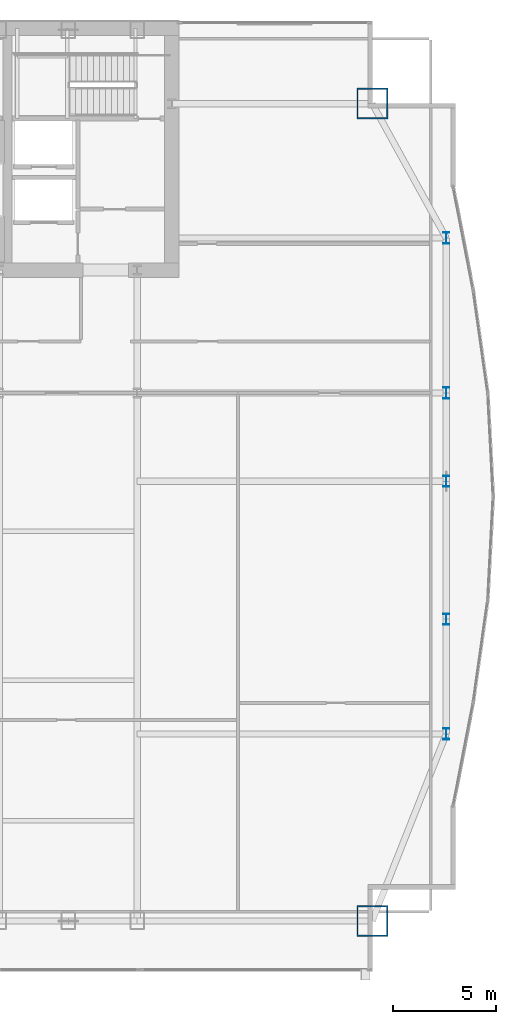
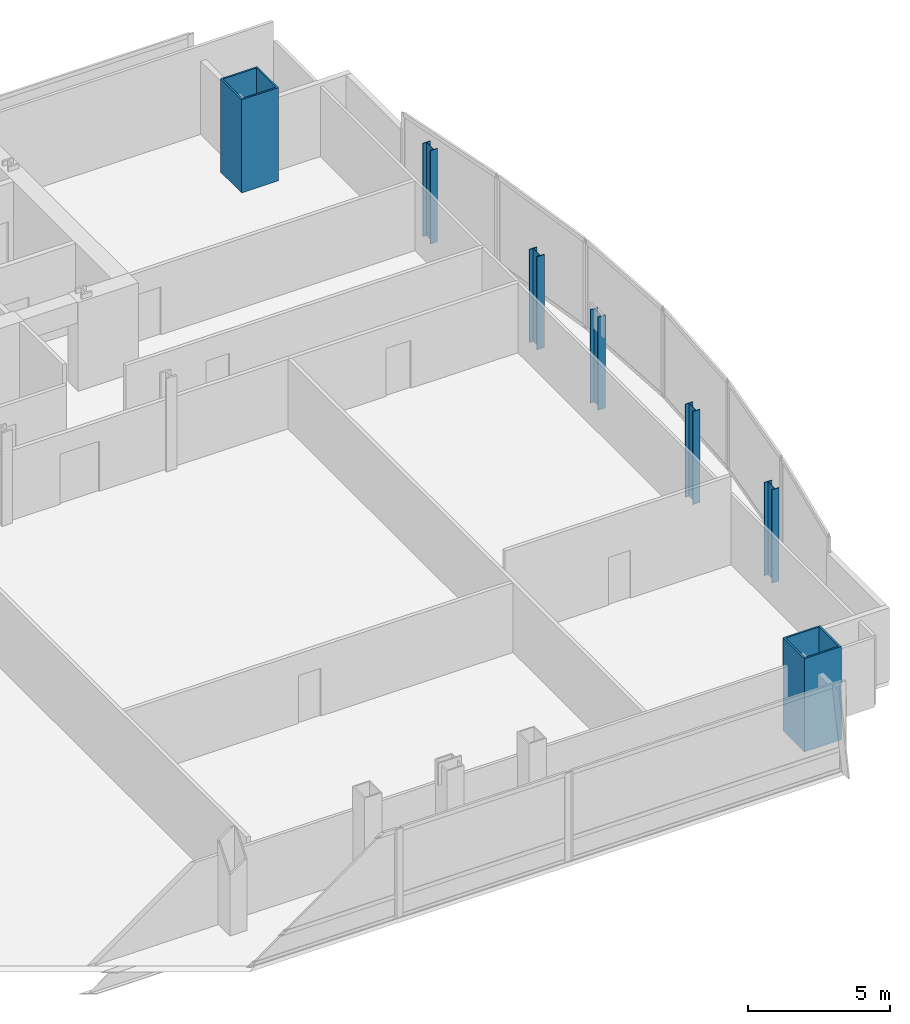
# One storey, part 4 of 34: 7 columns.
"""IFC4 building model written with IfcOpenShell, lengths in metres."""

import ifcopenshell
import ifcopenshell.guid

model = None  # the IFC model being written
_history = None  # IfcOwnerHistory: only IFC2X3 demands one
_inside = {}  # id of a spatial element -> (the spatial element, [elements in it])
_under = {}  # id of a project, library or spatial element -> (it, [spatial elements below it])
_declared = {}  # id of a project -> (the project, [libraries it declares])
_typed = {}  # id of a type object -> (the type object, [elements of that type])
_made_of = {}  # id of a material, layer set ... -> (it, [elements and type objects made of it])


def new_model(schema):
    """Start an empty IFC model of exactly this schema.

    Asked for "IFC4X3", IfcOpenShell would pick the latest addendum, in which some entities
    have other attributes; the version numbers below select the first issue.
    IFC2X3 requires an IfcOwnerHistory on every rooted entity: one is made here for all.
    """
    global model, _history
    if schema == "IFC4X3":
        model = ifcopenshell.file(schema_version=(4, 3, 0, 0))
    else:
        model = ifcopenshell.file(schema=schema)
    _inside.clear()
    _under.clear()
    _declared.clear()
    _typed.clear()
    _made_of.clear()
    _history = None
    if model.schema == "IFC2X3":
        org = make("IfcOrganization", Name="unknown")
        user = make(
            "IfcPersonAndOrganization",
            ThePerson=make("IfcPerson", FamilyName="unknown"),
            TheOrganization=org,
        )
        app = make(
            "IfcApplication",
            ApplicationDeveloper=org,
            Version="unknown",
            ApplicationFullName="unknown",
            ApplicationIdentifier="unknown",
        )
        _history = make(
            "IfcOwnerHistory",
            OwningUser=user,
            OwningApplication=app,
            ChangeAction="ADDED",
            CreationDate=0,
        )
    return model


def make(cls, **values):
    """One entity of the class cls with the attributes given. An attribute that is None is left unset."""
    return model.create_entity(
        cls, **{name: value for name, value in values.items() if value is not None}
    )


def rooted(cls, **values):
    """An entity with a GlobalId (a new one), such as an element, a storey or a relation."""
    return make(cls, GlobalId=ifcopenshell.guid.new(), OwnerHistory=_history, **values)


def si_unit(unit_type, name, prefix=None):
    """IfcSIUnit, for example si_unit("LENGTHUNIT", "METRE", prefix="MILLI")."""
    return make("IfcSIUnit", UnitType=unit_type, Prefix=prefix, Name=name)


def assignment(units):
    """IfcUnitAssignment: the units of a project."""
    return None if units is None else make("IfcUnitAssignment", Units=units)


def point(xyz):
    """IfcCartesianPoint."""
    return None if xyz is None else make("IfcCartesianPoint", Coordinates=xyz)


def direction(xyz):
    """IfcDirection."""
    return None if xyz is None else make("IfcDirection", DirectionRatios=xyz)


def frame(location, z_axis=None, x_axis=None):
    """IfcAxis2Placement3D, a coordinate frame: its origin and axes. An axis left out is left unset."""
    return make(
        "IfcAxis2Placement3D",
        Location=point(location),
        Axis=direction(z_axis),
        RefDirection=direction(x_axis),
    )


def frame_2d(location, x_axis=None):
    """IfcAxis2Placement2D, a coordinate frame in the plane: its origin and x axis."""
    return make(
        "IfcAxis2Placement2D", Location=point(location), RefDirection=direction(x_axis)
    )


def origin():
    """The frame at (0, 0, 0) with its axes left unset."""
    return frame((0.0, 0.0, 0.0))


def origin_2d():
    """The frame at (0, 0) in the plane with its x axis left unset."""
    return frame_2d((0.0, 0.0))


def place(relative_to, where):
    """IfcLocalPlacement: puts the frame where relative to a parent placement (None: the world)."""
    return make(
        "IfcLocalPlacement", PlacementRelTo=relative_to, RelativePlacement=where
    )


def context(
    kind, dimensions, precision=None, world=None, true_north=None, identifier=None
):
    """IfcGeometricRepresentationContext, for example the 3D "Model" context."""
    return make(
        "IfcGeometricRepresentationContext",
        ContextIdentifier=identifier,
        ContextType=kind,
        CoordinateSpaceDimension=dimensions,
        Precision=precision,
        WorldCoordinateSystem=world,
        TrueNorth=true_north,
    )


def subcontext(parent, identifier, kind, view, scale=None):
    """IfcGeometricRepresentationSubContext, for example "Body" below "Model"."""
    return make(
        "IfcGeometricRepresentationSubContext",
        ContextIdentifier=identifier,
        ContextType=kind,
        ParentContext=parent,
        TargetScale=scale,
        TargetView=view,
    )


def project(units=None, contexts=None):
    """IfcProject with its units and contexts."""
    return rooted(
        "IfcProject",
        Name="project",
        RepresentationContexts=contexts,
        UnitsInContext=assignment(units),
    )


def spatial(cls, under=None, at=None, **own):
    """A site, building, storey or space (cls), placed at a placement, below another one or the project."""
    s = rooted(cls, ObjectPlacement=at, **own)
    if under is not None:
        _under.setdefault(under.id(), (under, []))[1].append(s)
    return s


def profile(cls, at=None, kind="AREA", **sizes):
    """A parametric profile (cls). Its sizes go by their IFC names, for example OverallWidth=200.0."""
    return make(cls, ProfileType=kind, Position=at, **sizes)


def hollow_rectangle(**sizes):
    """IfcRectangleHollowProfileDef."""
    return profile("IfcRectangleHollowProfileDef", **sizes)


def i_section(**sizes):
    """IfcIShapeProfileDef."""
    return profile("IfcIShapeProfileDef", **sizes)


def extrude(swept, where, along, depth):
    """IfcExtrudedAreaSolid: the profile swept, set in the frame where, extruded along a direction by depth."""
    return make(
        "IfcExtrudedAreaSolid",
        SweptArea=swept,
        Position=where,
        ExtrudedDirection=direction(along),
        Depth=depth,
    )


def shape(context_of_items, identifier, shape_type, items):
    """IfcShapeRepresentation: the items that make up one representation, for example the "Body"."""
    return make(
        "IfcShapeRepresentation",
        ContextOfItems=context_of_items,
        RepresentationIdentifier=identifier,
        RepresentationType=shape_type,
        Items=items,
    )


def material(Name=None, Category=None):
    """IfcMaterial."""
    return make("IfcMaterial", Name=Name, Category=Category)


def material_profile(
    of_material, cross_section, Name=None, Category=None, Priority=None
):
    """IfcMaterialProfile: a cross section and its material."""
    return make(
        "IfcMaterialProfile",
        Name=Name,
        Material=of_material,
        Profile=cross_section,
        Priority=Priority,
        Category=Category,
    )


def profile_set(profiles, Name=None, composite=None):
    """IfcMaterialProfileSet."""
    return make(
        "IfcMaterialProfileSet",
        Name=Name,
        MaterialProfiles=profiles,
        CompositeProfile=composite,
    )


def made_of(thing, what):
    """Note that an element or type object is made of a material, layer set ...; save() writes the relation."""
    if what is not None:
        _made_of.setdefault(what.id(), (what, []))[1].append(thing)
    return thing


def type_object(cls, material=None, **own):
    """A type object (cls), such as IfcWallType, which elements share."""
    return made_of(rooted(cls, **own), material)


def element(
    cls,
    number,
    at=None,
    inside=None,
    cuts=None,
    type_object=None,
    material=None,
    context=None,
    identifier="Body",
    shape_type=None,
    held_by="IfcProductDefinitionShape",
    body=None,
    shapes=None,
    **own,
):
    """One element of the class cls, such as IfcWall. Its Tag is "e" and its number.

    at: its placement. inside: the storey or other place that contains it. cuts: it is an
    opening in that element (IfcRelVoidsElement). A single representation is given by context,
    identifier, shape_type and body (its items); several are given by shapes. held_by: the class
    of the entity that holds the representations. save() writes the other relations.
    """
    e = rooted(cls, Tag="e%d" % number, ObjectPlacement=at, **own)
    if body is not None:
        shapes = [shape(context, identifier, shape_type, body)]
    if shapes is not None:
        e.Representation = make(held_by, Representations=shapes)
    if inside is not None:
        _inside.setdefault(inside.id(), (inside, []))[1].append(e)
    if cuts is not None:
        rooted(
            "IfcRelVoidsElement", RelatingBuildingElement=cuts, RelatedOpeningElement=e
        )
    if type_object is not None:
        _typed.setdefault(type_object.id(), (type_object, []))[1].append(e)
    return made_of(e, material)


def aggregate(whole, parts):
    """IfcRelAggregates: a whole, such as a stair, and the parts it consists of."""
    return rooted("IfcRelAggregates", RelatingObject=whole, RelatedObjects=parts)


def save(model, path):
    """Write the relations noted so far, then the file.

    IfcRelAggregates (storeys below a building ...), IfcRelContainedInSpatialStructure (elements
    in a storey), IfcRelDefinesByType, IfcRelAssociatesMaterial and IfcRelDeclares: one each for
    every whole, place, type object, material and project.
    """
    for whole, parts in _under.values():
        aggregate(whole, parts)
    for where, things in _inside.values():
        rooted(
            "IfcRelContainedInSpatialStructure",
            RelatedElements=things,
            RelatingStructure=where,
        )
    for kind, things in _typed.values():
        rooted("IfcRelDefinesByType", RelatedObjects=things, RelatingType=kind)
    for what, things in _made_of.values():
        rooted("IfcRelAssociatesMaterial", RelatedObjects=things, RelatingMaterial=what)
    for by, libraries in _declared.values():
        rooted("IfcRelDeclares", RelatingContext=by, RelatedDefinitions=libraries)
    model.write(path)


model = new_model("IFC4")

# Units and contexts
model_context = context("Model", 3, precision=1e-05, world=origin(), true_north=direction((0.0, 1.0)))
body_context = subcontext(model_context, "Body", "Model", "MODEL_VIEW")
ifc_project = project(units=[si_unit("LENGTHUNIT", "METRE"), si_unit("AREAUNIT", "SQUARE_METRE"), si_unit("VOLUMEUNIT", "CUBIC_METRE"), si_unit("PLANEANGLEUNIT", "RADIAN"), si_unit("MASSUNIT", "GRAM", prefix="KILO")], contexts=[model_context])

# Site, building, storey
site_placement = place(None, origin())
site = spatial("IfcSite", under=ifc_project, at=site_placement, CompositionType="ELEMENT")
building_placement = place(site_placement, origin())
building = spatial("IfcBuilding", under=site, at=building_placement, Name="Khoronbel Lancet Exchange", CompositionType="ELEMENT")
storey_placement = place(building_placement, frame((0.0, 0.0, 102.60009765625)))
storey = spatial("IfcBuildingStorey", under=building, at=storey_placement, Name="L24", CompositionType="ELEMENT", Elevation=102.60009765625)

# Columns
ifc_material_1 = material(Name="Steel S355", Category="steel")
ifc_material_profile_1 = material_profile(ifc_material_1, i_section(OverallWidth=0.300048828125, OverallDepth=0.550048828125, WebThickness=0.014892578125, FlangeThickness=0.029052734375, at=origin_2d()), Name="HEB 550")
ifc_profile_set_1 = profile_set([ifc_material_profile_1], Name="Steel S355")
column_type_1 = type_object("IfcColumnType", Name="COL-LC1", PredefinedType="COLUMN", material=ifc_profile_set_1)
for number, where, z_axis, x_axis, name in (
    (1, (69.6298828125, 19.199951171875, 0.0), (0.0, 0.0, 1.0), (1.0, 0.0, 0.0), "Structural column EC-1 L24"),
    (2, (69.6298828125, 24.75, 0.0), (0.0, 0.0, 1.0), (1.0, 0.0, 0.0), "Structural column EC-2 L24"),
    (3, (69.6298828125, 31.425048828125, 0.0), (0.0, 0.0, 1.0), (1.0, 0.0, 0.0), "Structural column EC-M L24"),
    (4, (69.6298828125, 35.699951171875, 0.0), (0.0, 0.0, 1.0), (1.0, 0.0, 0.0), "Structural column EC-3 L24"),
    (5, (69.6298828125, 43.199951171875, 0.0), (0.0, 0.0, 1.0), (1.0, 0.0, 0.0), "Structural column EC-4 L24"),
):
    element("IfcColumn", number, at=place(storey_placement, frame(where, z_axis=z_axis, x_axis=x_axis)), inside=storey, type_object=column_type_1, Name=name, PredefinedType="COLUMN", context=body_context, shape_type="SweptSolid", body=[
        extrude(i_section(OverallWidth=0.300048828125, OverallDepth=0.550048828125, WebThickness=0.014892578125, FlangeThickness=0.029052734375, at=origin_2d()), origin(), (0.0, 0.0, 1.0), 4.0),
    ])
ifc_material_2 = material(Name="Steel S460", Category="steel")
ifc_material_profile_2 = material_profile(ifc_material_2, hollow_rectangle(XDim=1.5, YDim=1.5, WallThickness=0.070068359375, at=origin_2d()), Name="BOX 1500x1500x70")
ifc_profile_set_2 = profile_set([ifc_material_profile_2], Name="Steel S460")
column_type_2 = type_object("IfcColumnType", Name="COL-MC3", PredefinedType="COLUMN", material=ifc_profile_set_2)
for number, where, z_axis, x_axis, name in (
    (6, (66.050048828125, 10.14990234375, 0.0), (0.0, 0.0, 1.0), (1.0, 0.0, 0.0), "Structural column MC-SE L24"),
    (7, (66.050048828125, 49.699951171875, 0.0), (0.0, 0.0, 1.0), (1.0, 0.0, 0.0), "Structural column MC-NE L24"),
):
    element("IfcColumn", number, at=place(storey_placement, frame(where, z_axis=z_axis, x_axis=x_axis)), inside=storey, type_object=column_type_2, Name=name, PredefinedType="COLUMN", context=body_context, shape_type="SweptSolid", body=[
        extrude(hollow_rectangle(XDim=1.5, YDim=1.5, WallThickness=0.070068359375, at=origin_2d()), origin(), (0.0, 0.0, 1.0), 4.0),
    ])

save(model, "model.ifc")
